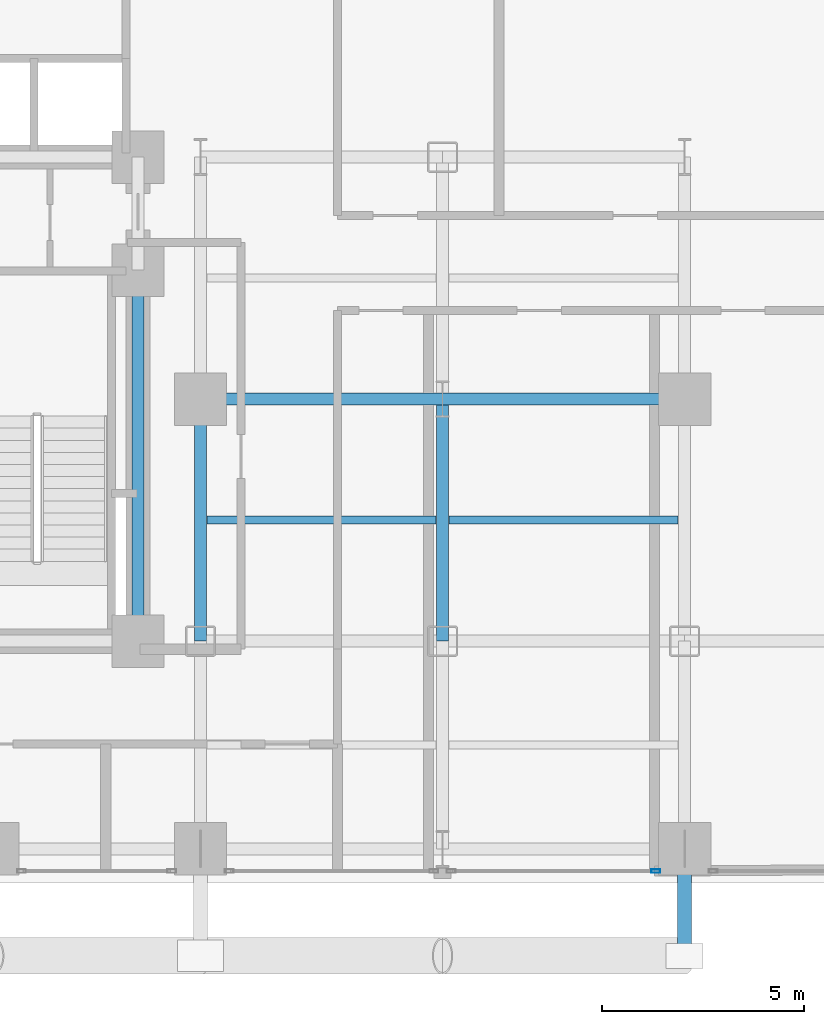
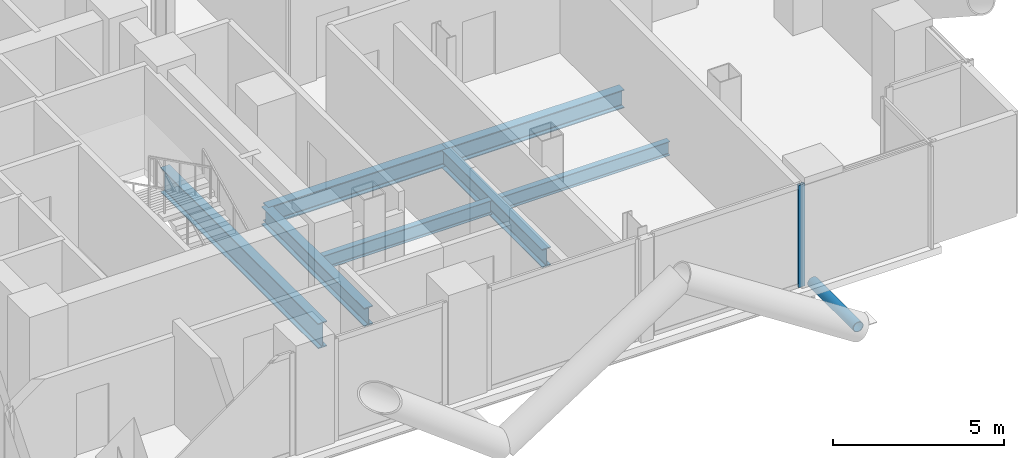
# One storey, part 9 of 25: 7 beams, 2 members, 1 element without a shape of its own.
"""IFC4 building model written with IfcOpenShell, lengths in metres."""

from ifc_helpers import new_model, si_unit, direction, frame, origin, origin_2d, place, context, subcontext, project, spatial, hollow_rectangle, hollow_circle, i_section, extrude, material, layer, layer_set, material_profile, profile_set, type_object, element, aggregate, save


model = new_model("IFC4")

# Units and contexts
model_context = context("Model", 3, precision=1e-05, world=origin(), true_north=direction((0.0, 1.0)))
body_context = subcontext(model_context, "Body", "Model", "MODEL_VIEW")
ifc_project = project(units=[si_unit("LENGTHUNIT", "METRE"), si_unit("AREAUNIT", "SQUARE_METRE"), si_unit("VOLUMEUNIT", "CUBIC_METRE"), si_unit("PLANEANGLEUNIT", "RADIAN"), si_unit("MASSUNIT", "GRAM", prefix="KILO"), si_unit("THERMODYNAMICTEMPERATUREUNIT", "KELVIN"), si_unit("POWERUNIT", "WATT")], contexts=[model_context])

# Site, building, storey
site_placement = place(None, origin())
site = spatial("IfcSite", under=ifc_project, at=site_placement, CompositionType="ELEMENT")
building_placement = place(site_placement, origin())
building = spatial("IfcBuilding", under=site, at=building_placement, Name="Svarakhadi Broadcast Tower", CompositionType="ELEMENT")
storey_placement = place(building_placement, frame((0.0, 0.0, 83.10009765625)))
storey = spatial("IfcBuildingStorey", under=building, at=storey_placement, Name="L19", CompositionType="ELEMENT", Elevation=83.10009765625)

# Beams
ifc_material_1 = material(Name="Steel S355J2 (IS 2062 E350C)", Category="steel")
ifc_material_profile_1 = material_profile(ifc_material_1, i_section(OverallWidth=0.199951171875, OverallDepth=0.5, WebThickness=0.01025390625, FlangeThickness=0.01611328125, FilletRadius=0.02099609375, at=origin_2d()), Name="NPB 500x200x91")
ifc_profile_set_1 = profile_set([ifc_material_profile_1], Name="Steel S355J2 (IS 2062 E350C)")
beam_type_1 = type_object("IfcBeamType", Name="Beam_NPB500", PredefinedType="BEAM", material=ifc_profile_set_1)
for number, where, z_axis, x_axis, name in (
    (1, (35.31005859375, 9.0, -0.5), (1.0, 0.0, 0.0), (0.0, 1.0, 0.0), "L19 Secondary Composite Beam SB023"),
    (2, (41.31005859375, 9.0, -0.5), (1.0, 0.0, 0.0), (0.0, 1.0, 0.0), "L19 Secondary Composite Beam SB026"),
):
    element("IfcBeam", number, at=place(storey_placement, frame(where, z_axis=z_axis, x_axis=x_axis)), inside=storey, type_object=beam_type_1, Name=name, PredefinedType="BEAM", context=body_context, shape_type="SweptSolid", body=[
        extrude(i_section(OverallWidth=0.199951171875, OverallDepth=0.5, WebThickness=0.01025390625, FlangeThickness=0.01611328125, FilletRadius=0.02099609375, at=origin_2d()), origin(), (0.0, 0.0, 1.0), 5.679931640625),
    ])

# Curtain wall, member
ifc_material_2 = material(Name="Anodised Bronze Aluminium AA 6063-T6", Category="aluminium")
ifc_layer = layer(ifc_material_2, 0.219970703125)
ifc_layer_set = layer_set([ifc_layer], Name="Anodised Bronze Aluminium AA 6063-T6")
curtain_wall_type = type_object("IfcCurtainWallType", Name="CW_Sys_02", PredefinedType="NOTDEFINED", material=ifc_layer_set)
curtain_wall_placement = place(storey_placement, origin())
curtain_wall = element("IfcCurtainWall", 3, at=curtain_wall_placement, inside=storey, type_object=curtain_wall_type, Name="L19 South Curtain Wall 16 Bay 2", PredefinedType="NOTDEFINED")
ifc_material_profile_2 = material_profile(ifc_material_2, hollow_rectangle(XDim=0.0849609375, YDim=0.219970703125, WallThickness=0.006103515625, at=origin_2d()), Name="ALU MULLION 220x85x6")
ifc_profile_set_2 = profile_set([ifc_material_profile_2], Name="Anodised Bronze Aluminium AA 6063-T6")
member_type_1 = type_object("IfcMemberType", Name="CW_Sys_02_Mul", PredefinedType="MULLION", material=ifc_profile_set_2)
member_1_placement = place(storey_placement, frame((46.4375, 0.300048828125, 0.0), z_axis=(0.0, 0.0, 1.0), x_axis=(0.0, -1.0, 0.0)))
member_1 = element("IfcMember", 4, at=member_1_placement, type_object=member_type_1, Name="CW-02 mullion 1", PredefinedType="MULLION", context=body_context, shape_type="SweptSolid", body=[
    extrude(hollow_rectangle(XDim=0.0849609375, YDim=0.219970703125, WallThickness=0.006103515625, at=origin_2d()), origin(), (0.0, 0.0, 1.0), 3.64990234375),
])
aggregate(curtain_wall, [member_1])

# Member
ifc_material_3 = material(Name="Steel S460ML (IS 2062 E450BR)", Category="steel")
ifc_material_profile_3 = material_profile(ifc_material_3, hollow_circle(Radius=0.177734375, WallThickness=0.02001953125, at=origin_2d()), Name="CHS 355.6x20")
ifc_profile_set_3 = profile_set([ifc_material_profile_3], Name="Steel S460ML (IS 2062 E450BR)")
member_type_2 = type_object("IfcMemberType", Name="Exo_Radial_Strut_Z1", PredefinedType="STRUT", material=ifc_profile_set_3)
member_2_placement = place(storey_placement, frame((47.14990234375, -1.800048828125, -0.427978515625), z_axis=(0.0, 1.0, 0.0), x_axis=(-1.0, 0.0, 0.0)))
element("IfcMember", 5, at=member_2_placement, inside=storey, type_object=member_type_2, Name="L19 Exoskeleton Radial Tie Strut S03", PredefinedType="STRUT", context=body_context, shape_type="SweptSolid", body=[
    extrude(hollow_circle(Radius=0.177734375, WallThickness=0.02001953125, at=origin_2d()), origin(), (0.0, 0.0, 1.0), 2.650146484375),
])

# Beams
ifc_material_profile_4 = material_profile(ifc_material_1, i_section(OverallWidth=0.300048828125, OverallDepth=0.64990234375, WebThickness=0.01611328125, FlangeThickness=0.031005859375, FilletRadius=0.027099609375, at=origin_2d()), Name="WPB 650x300x225")
ifc_profile_set_4 = profile_set([ifc_material_profile_4], Name="Steel S355J2 (IS 2062 E350C)")
beam_type_2 = type_object("IfcBeamType", Name="Girder_WPB650", PredefinedType="USERDEFINED", material=ifc_profile_set_4)
for number, where, z_axis, x_axis, name in (
    (6, (35.14990234375, 12.0, -0.5751953125), (1.0, 0.0, 0.0), (0.0, 1.0, 0.0), "L19 Primary E-W Girder G023"),
    (7, (41.14990234375, 12.0, -0.5751953125), (1.0, 0.0, 0.0), (0.0, 1.0, 0.0), "L19 Primary E-W Girder G024"),
    (8, (35.14990234375, 6.0, -0.5751953125), (0.0, 1.0, 0.0), (-1.0, 0.0, 0.0), "L19 Primary N-S Girder G077"),
    (9, (41.14990234375, 6.0, -0.5751953125), (0.0, 1.0, 0.0), (-1.0, 0.0, 0.0), "L19 Primary N-S Girder G080"),
):
    element("IfcBeam", number, at=place(storey_placement, frame(where, z_axis=z_axis, x_axis=x_axis)), inside=storey, type_object=beam_type_2, Name=name, ObjectType="GIRDER", PredefinedType="USERDEFINED", context=body_context, shape_type="SweptSolid", body=[
        extrude(i_section(OverallWidth=0.300048828125, OverallDepth=0.64990234375, WebThickness=0.01611328125, FlangeThickness=0.031005859375, FilletRadius=0.027099609375, at=origin_2d()), origin(), (0.0, 0.0, 1.0), 6.0),
    ])
ifc_material_profile_5 = material_profile(ifc_material_3, i_section(OverallWidth=0.300048828125, OverallDepth=0.89990234375, WebThickness=0.0185546875, FlangeThickness=0.034912109375, FilletRadius=0.030029296875, at=origin_2d()), Name="WPB 900x300x291")
ifc_profile_set_5 = profile_set([ifc_material_profile_5], Name="Steel S460ML (IS 2062 E450BR)")
beam_type_3 = type_object("IfcBeamType", Name="Girder_WPB900", PredefinedType="USERDEFINED", material=ifc_profile_set_5)
beam_placement = place(storey_placement, frame((33.60009765625, 6.0, -0.7001953125), z_axis=(0.0, 1.0, 0.0), x_axis=(-1.0, 0.0, 0.0)))
element("IfcBeam", 10, at=beam_placement, inside=storey, type_object=beam_type_3, Name="L19 Primary N-S Girder G074", ObjectType="GIRDER", PredefinedType="USERDEFINED", context=body_context, shape_type="SweptSolid", body=[
    extrude(i_section(OverallWidth=0.300048828125, OverallDepth=0.89990234375, WebThickness=0.0185546875, FlangeThickness=0.034912109375, FilletRadius=0.030029296875, at=origin_2d()), origin(), (0.0, 0.0, 1.0), 9.199951171875),
])

save(model, "model.ifc")
